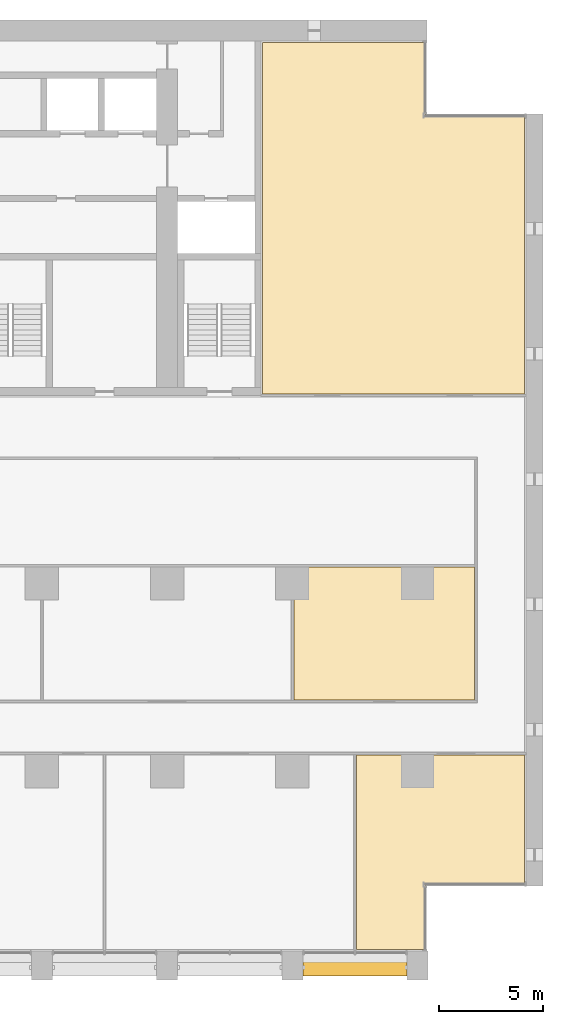
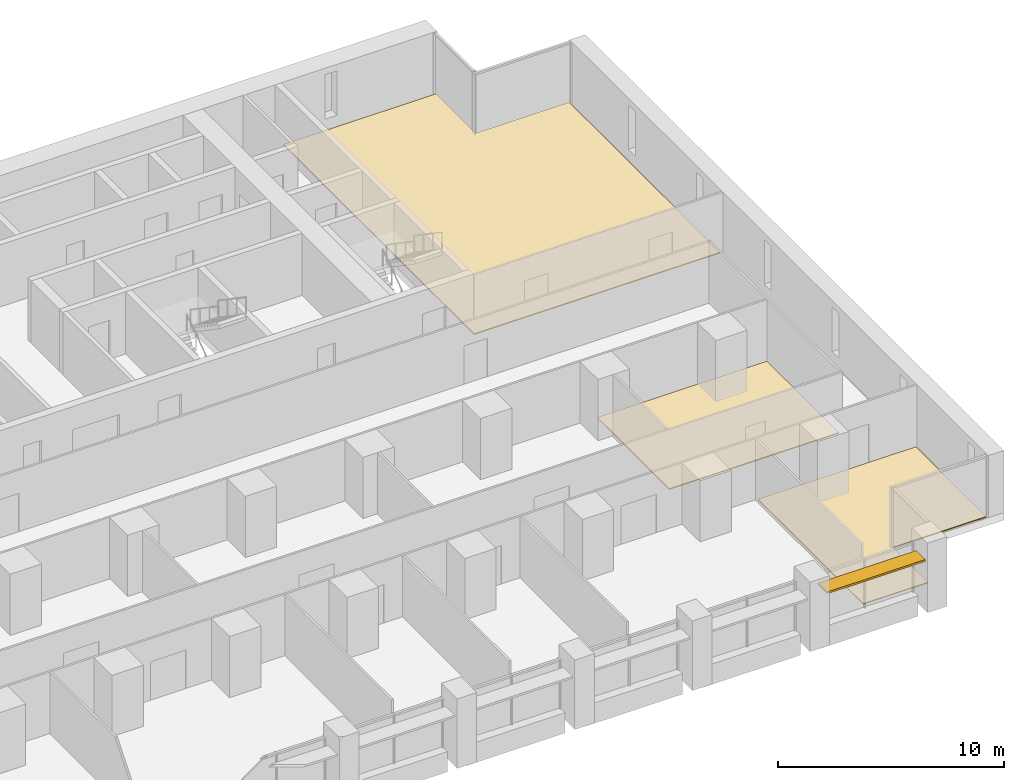
# One storey, part 18 of 18: 3 coverings, 1 shading device.
"""IFC4 building model written with IfcOpenShell, lengths in metres."""

from ifc_helpers import new_model, si_unit, direction, frame, origin, origin_2d, place, context, subcontext, project, spatial, polyline, rectangle, outline, extrude, material, layer, layer_set, material_profile, profile_set, type_object, element, save


model = new_model("IFC4")

# Units and contexts
model_context = context("Model", 3, precision=1e-05, world=origin(), true_north=direction((0.0, 1.0)))
body_context = subcontext(model_context, "Body", "Model", "MODEL_VIEW")
ifc_project = project(units=[si_unit("LENGTHUNIT", "METRE"), si_unit("AREAUNIT", "SQUARE_METRE"), si_unit("VOLUMEUNIT", "CUBIC_METRE"), si_unit("PLANEANGLEUNIT", "RADIAN"), si_unit("MASSUNIT", "GRAM", prefix="KILO")], contexts=[model_context])

# Site, building, storey
site_placement = place(None, origin())
site = spatial("IfcSite", under=ifc_project, at=site_placement, CompositionType="ELEMENT")
building_placement = place(site_placement, origin())
building = spatial("IfcBuilding", under=site, at=building_placement, Name="Calvaro Tower", CompositionType="ELEMENT")
storey_placement = place(building_placement, frame((0.0, 0.0, 63.75)))
storey = spatial("IfcBuildingStorey", under=building, at=storey_placement, Name="L15", CompositionType="ELEMENT", Elevation=63.75)

# Shading device
ifc_material_1 = material(Name="Anodised aluminium", Category="aluminium")
ifc_material_profile = material_profile(ifc_material_1, rectangle(XDim=0.800048828125, YDim=0.10009765625, at=origin_2d()), Name="Brise-soleil blade 800 x 100")
ifc_profile_set = profile_set([ifc_material_profile], Name="Anodised aluminium")
shading_device_type = type_object("IfcShadingDeviceType", Name="Brise-soleil blade 800 x 100", PredefinedType="JALOUSIE", material=ifc_profile_set)
shading_device_placement = place(storey_placement, frame((66.5, 0.60009765625, 2.300048828125), z_axis=(1.0, 0.0, 0.0), x_axis=(0.0, 1.0, 0.0)))
element("IfcShadingDevice", 1, at=shading_device_placement, inside=storey, type_object=shading_device_type, Name="Brise-soleil blade 11", PredefinedType="JALOUSIE", context=body_context, shape_type="SweptSolid", body=[
    extrude(rectangle(XDim=0.800048828125, YDim=0.10009765625, at=origin_2d()), origin(), (0.0, 0.0, 1.0), 5.0),
])

# Coverings
ifc_material_2 = material(Name="Cement screed with carpet tile finish")
ifc_layer = layer(ifc_material_2, 0.050048828125)
ifc_layer_set = layer_set([ifc_layer], Name="Cement screed with carpet tile finish")
covering_type = type_object("IfcCoveringType", Name="Floor finish 50", PredefinedType="FLOORING", material=ifc_layer_set)
covering_1_placement = place(storey_placement, origin())
element("IfcCovering", 2, at=covering_1_placement, inside=storey, type_object=covering_type, Name="Floor finish 12.08", PredefinedType="FLOORING", context=body_context, shape_type="SweptSolid", body=[
    extrude(outline(polyline([(77.1298828125, 4.570068359375), (72.3798828125, 4.570068359375), (72.3798828125, 1.469970703125), (69.070068359375, 1.469970703125), (69.070068359375, 10.780029296875), (77.1298828125, 10.780029296875), (77.1298828125, 4.570068359375)])), origin(), (0.0, 0.0, 1.0), 0.050048828125),
])
covering_2_placement = place(storey_placement, origin())
element("IfcCovering", 3, at=covering_2_placement, inside=storey, type_object=covering_type, Name="Floor finish 12.15", PredefinedType="FLOORING", context=body_context, shape_type="SweptSolid", body=[
    extrude(outline(polyline([(66.070068359375, 13.419921875), (66.070068359375, 19.780029296875), (74.72998046875, 19.780029296875), (74.72998046875, 13.419921875), (66.070068359375, 13.419921875)])), origin(), (0.0, 0.0, 1.0), 0.050048828125),
])
covering_3_placement = place(storey_placement, origin())
element("IfcCovering", 4, at=covering_3_placement, inside=storey, type_object=covering_type, Name="Floor finish 12.19", PredefinedType="FLOORING", context=body_context, shape_type="SweptSolid", body=[
    extrude(outline(polyline([(77.1298828125, 28.070068359375), (64.570068359375, 28.070068359375), (64.570068359375, 44.929931640625), (72.3798828125, 44.929931640625), (72.3798828125, 41.429931640625), (77.1298828125, 41.429931640625), (77.1298828125, 28.070068359375)])), origin(), (0.0, 0.0, 1.0), 0.050048828125),
])

save(model, "model.ifc")
